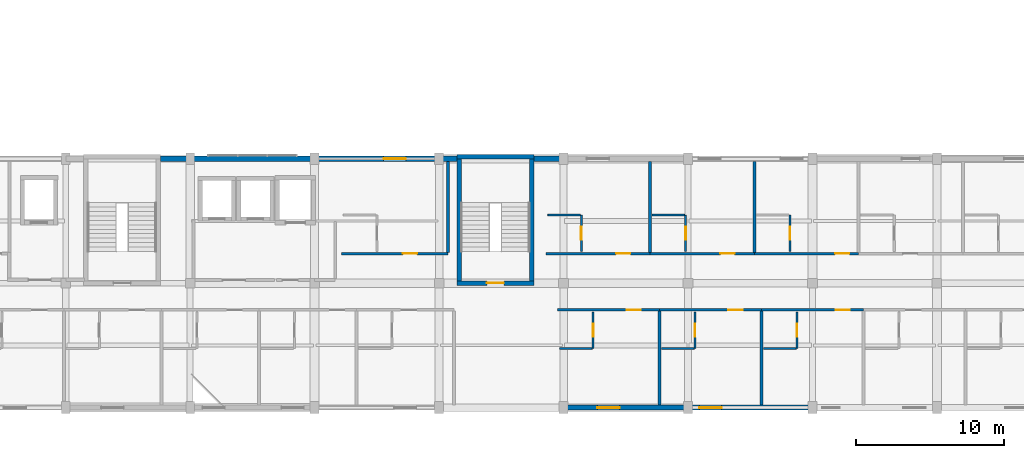
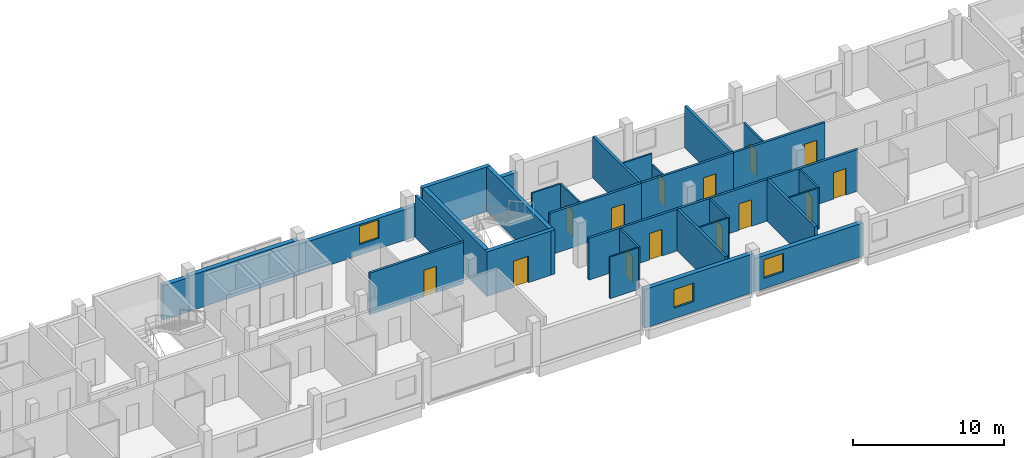
# One storey, part 19 of 26: 33 walls, 14 doors, 3 windows, 17 openings.
"""IFC4 building model written with IfcOpenShell, lengths in metres."""

from ifc_helpers import new_model, si_unit, derived_unit, direction, frame, frame_2d, origin, place, context, subcontext, project, spatial, rectangle, extrude, material, layer, layer_set, type_object, element, fill, save


model = new_model("IFC4")

# Units and contexts
model_context = context("Model", 3, precision=1e-05, world=origin(), true_north=direction((0.0, 1.0)))
body_context = subcontext(model_context, "Body", "Model", "MODEL_VIEW")
ifc_project = project(units=[si_unit("LENGTHUNIT", "METRE"), si_unit("AREAUNIT", "SQUARE_METRE"), si_unit("VOLUMEUNIT", "CUBIC_METRE"), si_unit("PLANEANGLEUNIT", "RADIAN"), si_unit("MASSUNIT", "GRAM", prefix="KILO"), derived_unit("THERMALTRANSMITTANCEUNIT", [(si_unit("POWERUNIT", "WATT"), 1), (si_unit("LENGTHUNIT", "METRE"), -2), (si_unit("THERMODYNAMICTEMPERATUREUNIT", "KELVIN"), -1)])], contexts=[model_context])

# Site, building, storey
site_placement = place(None, origin())
site = spatial("IfcSite", under=ifc_project, at=site_placement, CompositionType="ELEMENT")
building_placement = place(site_placement, origin())
building = spatial("IfcBuilding", under=site, at=building_placement, Name="Barrovel Congress Hotel", CompositionType="ELEMENT")
storey_placement = place(building_placement, frame((0.0, 0.0, 21.89990234375)))
storey = spatial("IfcBuildingStorey", under=building, at=storey_placement, Name="L05", CompositionType="ELEMENT", Elevation=21.89990234375)

# Wall, opening, window
ifc_material_1 = material(Name="Fired Clay Brick Masonry", Category="masonry")
ifc_layer_1 = layer(ifc_material_1, 0.340087890625)
ifc_layer_set_1 = layer_set([ifc_layer_1], Name="Fired Clay Brick Masonry")
wall_type_1 = type_object("IfcWallType", Name="EW-BRK340", PredefinedType="STANDARD", material=ifc_layer_set_1)
wall_1_placement = place(storey_placement, frame((102.0, 21.0, 0.0), z_axis=(0.0, 0.0, 1.0), x_axis=(-1.0, 0.0, 0.0)))
wall_1 = element("IfcWall", 1, at=wall_1_placement, inside=storey, type_object=wall_type_1, Name="EW:L05:HS-NE-3", PredefinedType="STANDARD", context=body_context, shape_type="SweptSolid", body=[
    extrude(rectangle(XDim=9.60009765625, YDim=0.340087890625, at=frame_2d((4.800048828125, 0.0))), origin(), (0.0, 0.0, 1.0), 2.47998046875),
])
opening_1_placement = place(wall_1_placement, frame((3.449951171875, 0.0, 0.85009765625)))
opening_1 = element("IfcOpeningElement", 2, at=opening_1_placement, cuts=wall_1, Name="Opening WN-07", PredefinedType="OPENING", context=body_context, shape_type="SweptSolid", body=[
    extrude(rectangle(XDim=1.5, YDim=1.5, at=frame_2d((0.75, 0.75))), frame((0.0, 0.18017578125, 0.0), z_axis=(0.0, -1.0, 0.0), x_axis=(1.0, 0.0, 0.0)), (0.0, 0.0, 1.0), 0.360107421875),
])
ifc_material_2 = material(Name="Double Low-E Insulated Glazing", Category="glass")
window_type = type_object("IfcWindowType", Name="WIN-WN-07", PartitioningType="SINGLE_PANEL", PredefinedType="WINDOW", material=ifc_material_2)
window_1_placement = place(opening_1_placement, origin())
window_1 = element("IfcWindow", 3, at=window_1_placement, inside=storey, type_object=window_type, Name="WIN:L05:U24", OverallHeight=1.5, OverallWidth=1.5, PartitioningType="SINGLE_PANEL", PredefinedType="WINDOW", context=body_context, shape_type="SweptSolid", body=[
    extrude(rectangle(XDim=1.5, YDim=1.5, at=frame_2d((0.75, 0.75))), frame((0.0, 0.030029296875, 0.0), z_axis=(0.0, -1.0, 0.0), x_axis=(1.0, 0.0, 0.0)), (0.0, 0.0, 1.0), 0.06005859375),
])
fill(opening_1, window_1)

wall_2_placement = place(storey_placement, frame((109.199951171875, 4.199951171875, 0.0), z_axis=(0.0, 0.0, 1.0), x_axis=(1.0, 0.0, 0.0)))
wall_2 = element("IfcWall", 4, at=wall_2_placement, inside=storey, type_object=wall_type_1, Name="EW:L05:HS-S:P10", PredefinedType="STANDARD", context=body_context, shape_type="SweptSolid", body=[
    extrude(rectangle(XDim=8.400146484375, YDim=0.340087890625, at=frame_2d((4.2001953125, 0.0))), origin(), (0.0, 0.0, 1.0), 3.133056640625),
])
opening_2_placement = place(wall_2_placement, frame((2.2900390625, 0.0, 0.85009765625)))
opening_2 = element("IfcOpeningElement", 5, at=opening_2_placement, cuts=wall_2, Name="Opening WN-07", PredefinedType="OPENING", context=body_context, shape_type="SweptSolid", body=[
    extrude(rectangle(XDim=1.5, YDim=1.5, at=frame_2d((0.75, 0.75))), frame((0.0, 0.18017578125, 0.0), z_axis=(0.0, -1.0, 0.0), x_axis=(1.0, 0.0, 0.0)), (0.0, 0.0, 1.0), 0.360107421875),
])
window_2_placement = place(opening_2_placement, origin())
window_2 = element("IfcWindow", 6, at=window_2_placement, inside=storey, type_object=window_type, Name="WIN:L05:U14", OverallHeight=1.5, OverallWidth=1.5, PartitioningType="SINGLE_PANEL", PredefinedType="WINDOW", context=body_context, shape_type="SweptSolid", body=[
    extrude(rectangle(XDim=1.5, YDim=1.5, at=frame_2d((0.75, 0.75))), frame((0.0, 0.030029296875, 0.0), z_axis=(0.0, -1.0, 0.0), x_axis=(1.0, 0.0, 0.0)), (0.0, 0.0, 1.0), 0.06005859375),
])
fill(opening_2, window_2)

wall_3_placement = place(storey_placement, frame((117.60009765625, 4.199951171875, 0.0), z_axis=(0.0, 0.0, 1.0), x_axis=(1.0, 0.0, 0.0)))
wall_3 = element("IfcWall", 7, at=wall_3_placement, inside=storey, type_object=wall_type_1, Name="EW:L05:HS-S:P11", PredefinedType="STANDARD", context=body_context, shape_type="SweptSolid", body=[
    extrude(rectangle(XDim=8.39990234375, YDim=0.340087890625, at=frame_2d((4.199951171875, 0.0))), origin(), (0.0, 0.0, 1.0), 2.68017578125),
])
opening_3_placement = place(wall_3_placement, frame((0.77001953125, 0.0, 0.85009765625)))
opening_3 = element("IfcOpeningElement", 8, at=opening_3_placement, cuts=wall_3, Name="Opening WN-07", PredefinedType="OPENING", context=body_context, shape_type="SweptSolid", body=[
    extrude(rectangle(XDim=1.5, YDim=1.5, at=frame_2d((0.75, 0.75))), frame((0.0, 0.18017578125, 0.0), z_axis=(0.0, -1.0, 0.0), x_axis=(1.0, 0.0, 0.0)), (0.0, 0.0, 1.0), 0.360107421875),
])
window_3_placement = place(opening_3_placement, origin())
window_3 = element("IfcWindow", 9, at=window_3_placement, inside=storey, type_object=window_type, Name="WIN:L05:U15", OverallHeight=1.5, OverallWidth=1.5, PartitioningType="SINGLE_PANEL", PredefinedType="WINDOW", context=body_context, shape_type="SweptSolid", body=[
    extrude(rectangle(XDim=1.5, YDim=1.5, at=frame_2d((0.75, 0.75))), frame((0.0, 0.030029296875, 0.0), z_axis=(0.0, -1.0, 0.0), x_axis=(1.0, 0.0, 0.0)), (0.0, 0.0, 1.0), 0.06005859375),
])
fill(opening_3, window_3)

# Walls
wall_4_placement = place(storey_placement, frame((109.199951171875, 21.0, 0.0), z_axis=(0.0, 0.0, 1.0), x_axis=(-1.0, 0.0, 0.0)))
element("IfcWall", 10, at=wall_4_placement, inside=storey, type_object=wall_type_1, Name="EW:L05:HS-NE-2:P06", PredefinedType="STANDARD", context=body_context, shape_type="SweptSolid", body=[
    extrude(rectangle(XDim=2.0, YDim=0.340087890625, at=frame_2d((1.0, 0.0))), origin(), (0.0, 0.0, 1.0), 2.47998046875),
])
wall_5_placement = place(storey_placement, frame((92.39990234375, 21.0, 0.0), z_axis=(0.0, 0.0, 1.0), x_axis=(-1.0, 0.0, 0.0)))
element("IfcWall", 11, at=wall_5_placement, inside=storey, type_object=wall_type_1, Name="EW:L05:HS-NE-3:P02", PredefinedType="STANDARD", context=body_context, shape_type="SweptSolid", body=[
    extrude(rectangle(XDim=8.39990234375, YDim=0.340087890625, at=frame_2d((4.199951171875, 0.0))), origin(), (0.0, 0.0, 1.0), 2.880126953125),
])
wall_6_placement = place(storey_placement, frame((84.0, 21.0, 0.0), z_axis=(0.0, 0.0, 1.0), x_axis=(-1.0, 0.0, 0.0)))
element("IfcWall", 12, at=wall_6_placement, inside=storey, type_object=wall_type_1, Name="EW:L05:HS-NE-3:P03", PredefinedType="STANDARD", context=body_context, shape_type="SweptSolid", body=[
    extrude(rectangle(XDim=2.0, YDim=0.340087890625, at=frame_2d((1.0, 0.0))), origin(), (0.0, 0.0, 1.0), 2.780029296875),
])

# Wall, opening, door
ifc_material_3 = material(Name="Gypsum Acoustic Stud", Category="gypsum")
ifc_layer_2 = layer(ifc_material_3, 0.179931640625)
ifc_layer_set_2 = layer_set([ifc_layer_2], Name="Gypsum Acoustic Stud")
wall_type_2 = type_object("IfcWallType", Name="PW-ACU-180", PredefinedType="PARTITIONING", material=ifc_layer_set_2)
wall_7_placement = place(storey_placement, frame((108.800048828125, 10.800048828125, 0.0), z_axis=(0.0, 0.0, 1.0), x_axis=(1.0, 0.0, 0.0)))
wall_7 = element("IfcWall", 13, at=wall_7_placement, inside=storey, type_object=wall_type_2, Name="PW:L05:U14:COR", PredefinedType="PARTITIONING", context=body_context, shape_type="SweptSolid", body=[
    extrude(rectangle(XDim=6.8798828125, YDim=0.179931640625, at=frame_2d((3.43994140625, 0.0))), origin(), (0.0, 0.0, 1.0), 3.375),
])
opening_4_placement = place(wall_7_placement, frame((4.652587890625, 0.0, 0.0)))
opening_4 = element("IfcOpeningElement", 14, at=opening_4_placement, cuts=wall_7, Name="Opening ID-HTL", PredefinedType="OPENING", context=body_context, shape_type="SweptSolid", body=[
    extrude(rectangle(XDim=0.9599609375, YDim=2.14990234375, at=frame_2d((0.47998046875, 1.074951171875))), frame((0.0, 0.10009765625, 0.0), z_axis=(0.0, -1.0, 0.0), x_axis=(1.0, 0.0, 0.0)), (0.0, 0.0, 1.0), 0.199951171875),
])
ifc_material_4 = material(Name="Solid Oak Acoustic Timber Door", Category="wood")
door_type_1 = type_object("IfcDoorType", Name="IDR-ID-HTL", OperationType="NOTDEFINED", PredefinedType="DOOR", material=ifc_material_4)
door_1_placement = place(opening_4_placement, origin())
door_1 = element("IfcDoor", 15, at=door_1_placement, inside=storey, type_object=door_type_1, Name="DR:L05:U14:ENT", OperationType="SINGLE_SWING_RIGHT", OverallHeight=2.14990234375, OverallWidth=0.9599609375, PredefinedType="DOOR", context=body_context, shape_type="SweptSolid", body=[
    extrude(rectangle(XDim=0.9599609375, YDim=2.14990234375, at=frame_2d((0.47998046875, 1.074951171875))), frame((0.0, 0.02490234375, 0.0), z_axis=(0.0, -1.0, 0.0), x_axis=(1.0, 0.0, 0.0)), (0.0, 0.0, 1.0), 0.050048828125),
])
fill(opening_4, door_1)

wall_8_placement = place(storey_placement, frame((115.679931640625, 10.800048828125, 0.0), z_axis=(0.0, 0.0, 1.0), x_axis=(1.0, 0.0, 0.0)))
wall_8 = element("IfcWall", 16, at=wall_8_placement, inside=storey, type_object=wall_type_2, Name="PW:L05:U15:COR", PredefinedType="PARTITIONING", context=body_context, shape_type="SweptSolid", body=[
    extrude(rectangle(XDim=6.880126953125, YDim=0.179931640625, at=frame_2d((3.43994140625, 0.0))), origin(), (0.0, 0.0, 1.0), 3.375),
])
opening_5_placement = place(wall_8_placement, frame((4.652587890625, 0.0, 0.0)))
opening_5 = element("IfcOpeningElement", 17, at=opening_5_placement, cuts=wall_8, Name="Opening ID-HTL", PredefinedType="OPENING", context=body_context, shape_type="SweptSolid", body=[
    extrude(rectangle(XDim=0.9599609375, YDim=2.14990234375, at=frame_2d((0.47998046875, 1.074951171875))), frame((0.0, 0.10009765625, 0.0), z_axis=(0.0, -1.0, 0.0), x_axis=(1.0, 0.0, 0.0)), (0.0, 0.0, 1.0), 0.199951171875),
])
door_2_placement = place(opening_5_placement, origin())
door_2 = element("IfcDoor", 18, at=door_2_placement, inside=storey, type_object=door_type_1, Name="DR:L05:U15:ENT", OperationType="SINGLE_SWING_RIGHT", OverallHeight=2.14990234375, OverallWidth=0.9599609375, PredefinedType="DOOR", context=body_context, shape_type="SweptSolid", body=[
    extrude(rectangle(XDim=0.9599609375, YDim=2.14990234375, at=frame_2d((0.47998046875, 1.074951171875))), frame((0.0, 0.02490234375, 0.0), z_axis=(0.0, -1.0, 0.0), x_axis=(1.0, 0.0, 0.0)), (0.0, 0.0, 1.0), 0.050048828125),
])
fill(opening_5, door_2)

wall_9_placement = place(storey_placement, frame((122.56005859375, 10.800048828125, 0.0), z_axis=(0.0, 0.0, 1.0), x_axis=(1.0, 0.0, 0.0)))
wall_9 = element("IfcWall", 19, at=wall_9_placement, inside=storey, type_object=wall_type_2, Name="PW:L05:U16:COR", PredefinedType="PARTITIONING", context=body_context, shape_type="SweptSolid", body=[
    extrude(rectangle(XDim=6.8798828125, YDim=0.179931640625, at=frame_2d((3.43994140625, 0.0))), origin(), (0.0, 0.0, 1.0), 3.375),
])
opening_6_placement = place(wall_9_placement, frame((5.002685546875, 0.0, 0.0)))
opening_6 = element("IfcOpeningElement", 20, at=opening_6_placement, cuts=wall_9, Name="Opening ID-HTL", PredefinedType="OPENING", context=body_context, shape_type="SweptSolid", body=[
    extrude(rectangle(XDim=0.9599609375, YDim=2.14990234375, at=frame_2d((0.47998046875, 1.074951171875))), frame((0.0, 0.10009765625, 0.0), z_axis=(0.0, -1.0, 0.0), x_axis=(1.0, 0.0, 0.0)), (0.0, 0.0, 1.0), 0.199951171875),
])
door_3_placement = place(opening_6_placement, origin())
door_3 = element("IfcDoor", 21, at=door_3_placement, inside=storey, type_object=door_type_1, Name="DR:L05:U16:ENT", OperationType="SINGLE_SWING_RIGHT", OverallHeight=2.14990234375, OverallWidth=0.9599609375, PredefinedType="DOOR", context=body_context, shape_type="SweptSolid", body=[
    extrude(rectangle(XDim=0.9599609375, YDim=2.14990234375, at=frame_2d((0.47998046875, 1.074951171875))), frame((0.0, 0.02490234375, 0.0), z_axis=(0.0, -1.0, 0.0), x_axis=(1.0, 0.0, 0.0)), (0.0, 0.0, 1.0), 0.050048828125),
])
fill(opening_6, door_3)

wall_10_placement = place(storey_placement, frame((94.199951171875, 14.60009765625, 0.0), z_axis=(0.0, 0.0, 1.0), x_axis=(1.0, 0.0, 0.0)))
wall_10 = element("IfcWall", 22, at=wall_10_placement, inside=storey, type_object=wall_type_2, Name="PW:L05:U24:COR", PredefinedType="PARTITIONING", context=body_context, shape_type="SweptSolid", body=[
    extrude(rectangle(XDim=7.199951171875, YDim=0.179931640625, at=frame_2d((3.60009765625, 0.0))), origin(), (0.0, 0.0, 1.0), 3.375),
])
opening_7_placement = place(wall_10_placement, frame((4.15087890625, 0.0, 0.0)))
opening_7 = element("IfcOpeningElement", 23, at=opening_7_placement, cuts=wall_10, Name="Opening ID-HTL", PredefinedType="OPENING", context=body_context, shape_type="SweptSolid", body=[
    extrude(rectangle(XDim=0.9599609375, YDim=2.14990234375, at=frame_2d((0.47998046875, 1.074951171875))), frame((0.0, 0.10009765625, 0.0), z_axis=(0.0, -1.0, 0.0), x_axis=(1.0, 0.0, 0.0)), (0.0, 0.0, 1.0), 0.199951171875),
])
door_4_placement = place(opening_7_placement, origin())
door_4 = element("IfcDoor", 24, at=door_4_placement, inside=storey, type_object=door_type_1, Name="DR:L05:U24:ENT", OperationType="SINGLE_SWING_RIGHT", OverallHeight=2.14990234375, OverallWidth=0.9599609375, PredefinedType="DOOR", context=body_context, shape_type="SweptSolid", body=[
    extrude(rectangle(XDim=0.9599609375, YDim=2.14990234375, at=frame_2d((0.47998046875, 1.074951171875))), frame((0.0, 0.02490234375, 0.0), z_axis=(0.0, -1.0, 0.0), x_axis=(1.0, 0.0, 0.0)), (0.0, 0.0, 1.0), 0.050048828125),
])
fill(opening_7, door_4)

wall_11_placement = place(storey_placement, frame((108.0, 14.60009765625, 0.0), z_axis=(0.0, 0.0, 1.0), x_axis=(1.0, 0.0, 0.0)))
wall_11 = element("IfcWall", 25, at=wall_11_placement, inside=storey, type_object=wall_type_2, Name="PW:L05:U25:COR", PredefinedType="PARTITIONING", context=body_context, shape_type="SweptSolid", body=[
    extrude(rectangle(XDim=7.0400390625, YDim=0.179931640625, at=frame_2d((3.52001953125, 0.0))), origin(), (0.0, 0.0, 1.0), 3.375),
])
opening_8_placement = place(wall_11_placement, frame((4.751708984375, 0.0, 0.0)))
opening_8 = element("IfcOpeningElement", 26, at=opening_8_placement, cuts=wall_11, Name="Opening ID-HTL", PredefinedType="OPENING", context=body_context, shape_type="SweptSolid", body=[
    extrude(rectangle(XDim=0.9599609375, YDim=2.14990234375, at=frame_2d((0.47998046875, 1.074951171875))), frame((0.0, 0.10009765625, 0.0), z_axis=(0.0, -1.0, 0.0), x_axis=(1.0, 0.0, 0.0)), (0.0, 0.0, 1.0), 0.199951171875),
])
door_5_placement = place(opening_8_placement, origin())
door_5 = element("IfcDoor", 27, at=door_5_placement, inside=storey, type_object=door_type_1, Name="DR:L05:U25:ENT", OperationType="SINGLE_SWING_RIGHT", OverallHeight=2.14990234375, OverallWidth=0.9599609375, PredefinedType="DOOR", context=body_context, shape_type="SweptSolid", body=[
    extrude(rectangle(XDim=0.9599609375, YDim=2.14990234375, at=frame_2d((0.47998046875, 1.074951171875))), frame((0.0, 0.02490234375, 0.0), z_axis=(0.0, -1.0, 0.0), x_axis=(1.0, 0.0, 0.0)), (0.0, 0.0, 1.0), 0.050048828125),
])
fill(opening_8, door_5)

wall_12_placement = place(storey_placement, frame((115.0400390625, 14.60009765625, 0.0), z_axis=(0.0, 0.0, 1.0), x_axis=(1.0, 0.0, 0.0)))
wall_12 = element("IfcWall", 28, at=wall_12_placement, inside=storey, type_object=wall_type_2, Name="PW:L05:U26:COR", PredefinedType="PARTITIONING", context=body_context, shape_type="SweptSolid", body=[
    extrude(rectangle(XDim=7.0400390625, YDim=0.179931640625, at=frame_2d((3.52001953125, 0.0))), origin(), (0.0, 0.0, 1.0), 3.375),
])
opening_9_placement = place(wall_12_placement, frame((4.751708984375, 0.0, 0.0)))
opening_9 = element("IfcOpeningElement", 29, at=opening_9_placement, cuts=wall_12, Name="Opening ID-HTL", PredefinedType="OPENING", context=body_context, shape_type="SweptSolid", body=[
    extrude(rectangle(XDim=0.9599609375, YDim=2.14990234375, at=frame_2d((0.47998046875, 1.074951171875))), frame((0.0, 0.10009765625, 0.0), z_axis=(0.0, -1.0, 0.0), x_axis=(1.0, 0.0, 0.0)), (0.0, 0.0, 1.0), 0.199951171875),
])
door_6_placement = place(opening_9_placement, origin())
door_6 = element("IfcDoor", 30, at=door_6_placement, inside=storey, type_object=door_type_1, Name="DR:L05:U26:ENT", OperationType="SINGLE_SWING_RIGHT", OverallHeight=2.14990234375, OverallWidth=0.9599609375, PredefinedType="DOOR", context=body_context, shape_type="SweptSolid", body=[
    extrude(rectangle(XDim=0.9599609375, YDim=2.14990234375, at=frame_2d((0.47998046875, 1.074951171875))), frame((0.0, 0.02490234375, 0.0), z_axis=(0.0, -1.0, 0.0), x_axis=(1.0, 0.0, 0.0)), (0.0, 0.0, 1.0), 0.050048828125),
])
fill(opening_9, door_6)

wall_13_placement = place(storey_placement, frame((122.080078125, 14.60009765625, 0.0), z_axis=(0.0, 0.0, 1.0), x_axis=(1.0, 0.0, 0.0)))
wall_13 = element("IfcWall", 31, at=wall_13_placement, inside=storey, type_object=wall_type_2, Name="PW:L05:U27:COR", PredefinedType="PARTITIONING", context=body_context, shape_type="SweptSolid", body=[
    extrude(rectangle(XDim=7.0400390625, YDim=0.179931640625, at=frame_2d((3.52001953125, 0.0))), origin(), (0.0, 0.0, 1.0), 3.375),
])
opening_10_placement = place(wall_13_placement, frame((5.451904296875, 0.0, 0.0)))
opening_10 = element("IfcOpeningElement", 32, at=opening_10_placement, cuts=wall_13, Name="Opening ID-HTL", PredefinedType="OPENING", context=body_context, shape_type="SweptSolid", body=[
    extrude(rectangle(XDim=0.9599609375, YDim=2.14990234375, at=frame_2d((0.47998046875, 1.074951171875))), frame((0.0, 0.10009765625, 0.0), z_axis=(0.0, -1.0, 0.0), x_axis=(1.0, 0.0, 0.0)), (0.0, 0.0, 1.0), 0.199951171875),
])
door_7_placement = place(opening_10_placement, origin())
door_7 = element("IfcDoor", 33, at=door_7_placement, inside=storey, type_object=door_type_1, Name="DR:L05:U27:ENT", OperationType="SINGLE_SWING_RIGHT", OverallHeight=2.14990234375, OverallWidth=0.9599609375, PredefinedType="DOOR", context=body_context, shape_type="SweptSolid", body=[
    extrude(rectangle(XDim=0.9599609375, YDim=2.14990234375, at=frame_2d((0.47998046875, 1.074951171875))), frame((0.0, 0.02490234375, 0.0), z_axis=(0.0, -1.0, 0.0), x_axis=(1.0, 0.0, 0.0)), (0.0, 0.0, 1.0), 0.050048828125),
])
fill(opening_10, door_7)

# Walls
ifc_layer_3 = layer(ifc_material_3, 0.1201171875)
ifc_layer_set_3 = layer_set([ifc_layer_3], Name="Gypsum Acoustic Stud")
wall_type_3 = type_object("IfcWallType", Name="PW-INT-120", PredefinedType="PARTITIONING", material=ifc_layer_set_3)
for number, where, z_axis, x_axis, name in (
    (34, (108.93994140625, 8.199951171875, 0.0), (0.0, 0.0, 1.0), (1.0, 0.0, 0.0), "PW:L05:U14:B2"),
    (35, (115.820068359375, 8.199951171875, 0.0), (0.0, 0.0, 1.0), (1.0, 0.0, 0.0), "PW:L05:U15:B2"),
    (36, (122.699951171875, 8.199951171875, 0.0), (0.0, 0.0, 1.0), (1.0, 0.0, 0.0), "PW:L05:U16:B2"),
):
    element("IfcWall", number, at=place(storey_placement, frame(where, z_axis=z_axis, x_axis=x_axis)), inside=storey, type_object=wall_type_3, Name=name, PredefinedType="PARTITIONING", context=body_context, shape_type="SweptSolid", body=[
        extrude(rectangle(XDim=2.18994140625, YDim=0.1201171875, at=frame_2d((1.094970703125, 0.0))), origin(), (0.0, 0.0, 1.0), 3.375),
    ])
for number, where, z_axis, x_axis, name in (
    (37, (108.139892578125, 17.199951171875, 0.0), (0.0, 0.0, 1.0), (1.0, 0.0, 0.0), "PW:L05:U25:B2"),
    (38, (115.179931640625, 17.199951171875, 0.0), (0.0, 0.0, 1.0), (1.0, 0.0, 0.0), "PW:L05:U26:B2"),
):
    element("IfcWall", number, at=place(storey_placement, frame(where, z_axis=z_axis, x_axis=x_axis)), inside=storey, type_object=wall_type_3, Name=name, PredefinedType="PARTITIONING", context=body_context, shape_type="SweptSolid", body=[
        extrude(rectangle(XDim=2.190185546875, YDim=0.1201171875, at=frame_2d((1.09521484375, 0.0))), origin(), (0.0, 0.0, 1.0), 3.375),
    ])
ifc_layer_4 = layer(ifc_material_1, 0.199951171875)
ifc_layer_set_4 = layer_set([ifc_layer_4], Name="Fired Clay Brick Masonry")
wall_type_4 = type_object("IfcWallType", Name="PW-MAS-200", PredefinedType="PARTITIONING", material=ifc_layer_set_4)
for number, where, z_axis, x_axis, name in (
    (39, (115.679931640625, 4.3701171875, 0.0), (0.0, 0.0, 1.0), (0.0, 1.0, 0.0), "PW:L05:U14:DEM"),
    (40, (122.56005859375, 4.3701171875, 0.0), (0.0, 0.0, 1.0), (0.0, 1.0, 0.0), "PW:L05:U15:DEM"),
):
    element("IfcWall", number, at=place(storey_placement, frame(where, z_axis=z_axis, x_axis=x_axis)), inside=storey, type_object=wall_type_4, Name=name, PredefinedType="PARTITIONING", context=body_context, shape_type="SweptSolid", body=[
        extrude(rectangle(XDim=6.33984375, YDim=0.199951171875, at=frame_2d((3.169921875, 0.0))), origin(), (0.0, 0.0, 1.0), 3.375),
    ])
for number, where, z_axis, x_axis, name in (
    (41, (101.39990234375, 14.68994140625, 0.0), (0.0, 0.0, 1.0), (0.0, 1.0, 0.0), "PW:L05:U24:DEM"),
    (42, (115.0400390625, 14.68994140625, 0.0), (0.0, 0.0, 1.0), (0.0, 1.0, 0.0), "PW:L05:U25:DEM"),
    (43, (122.080078125, 14.68994140625, 0.0), (0.0, 0.0, 1.0), (0.0, 1.0, 0.0), "PW:L05:U26:DEM"),
):
    element("IfcWall", number, at=place(storey_placement, frame(where, z_axis=z_axis, x_axis=x_axis)), inside=storey, type_object=wall_type_4, Name=name, PredefinedType="PARTITIONING", context=body_context, shape_type="SweptSolid", body=[
        extrude(rectangle(XDim=6.14013671875, YDim=0.199951171875, at=frame_2d((3.070068359375, 0.0))), origin(), (0.0, 0.0, 1.0), 3.375),
    ])

# Wall, opening, door
ifc_material_5 = material(Name="Gypsum Moisture Board", Category="gypsum")
ifc_layer_5 = layer(ifc_material_5, 0.139892578125)
ifc_layer_set_5 = layer_set([ifc_layer_5], Name="Gypsum Moisture Board")
wall_type_5 = type_object("IfcWallType", Name="PW-WET-140", PredefinedType="PARTITIONING", material=ifc_layer_set_5)
wall_14_placement = place(storey_placement, frame((111.199951171875, 8.199951171875, 0.0), z_axis=(0.0, 0.0, 1.0), x_axis=(0.0, 1.0, 0.0)))
wall_14 = element("IfcWall", 44, at=wall_14_placement, inside=storey, type_object=wall_type_5, Name="PW:L05:U14:B1", PredefinedType="PARTITIONING", context=body_context, shape_type="SweptSolid", body=[
    extrude(rectangle(XDim=2.4599609375, YDim=0.139892578125, at=frame_2d((1.22998046875, 0.0))), origin(), (0.0, 0.0, 1.0), 3.375),
])
opening_11_placement = place(wall_14_placement, frame((0.800048828125, 0.0, 0.0)))
opening_11 = element("IfcOpeningElement", 45, at=opening_11_placement, cuts=wall_14, Name="Opening ID-ENS", PredefinedType="OPENING", context=body_context, shape_type="SweptSolid", body=[
    extrude(rectangle(XDim=0.860107421875, YDim=2.10009765625, at=frame_2d((0.43017578125, 1.050048828125))), frame((0.0, 0.080078125, 0.0), z_axis=(0.0, -1.0, 0.0), x_axis=(1.0, 0.0, 0.0)), (0.0, 0.0, 1.0), 0.159912109375),
])
ifc_material_6 = material(Name="Lacquered Timber Moisture Door", Category="wood")
door_type_2 = type_object("IfcDoorType", Name="IDR-ID-ENS", OperationType="NOTDEFINED", PredefinedType="DOOR", material=ifc_material_6)
door_8_placement = place(opening_11_placement, origin())
door_8 = element("IfcDoor", 46, at=door_8_placement, inside=storey, type_object=door_type_2, Name="DR:L05:U14:ENS", OperationType="SINGLE_SWING_LEFT", OverallHeight=2.10009765625, OverallWidth=0.860107421875, PredefinedType="DOOR", context=body_context, shape_type="SweptSolid", body=[
    extrude(rectangle(XDim=0.860107421875, YDim=2.10009765625, at=frame_2d((0.43017578125, 1.050048828125))), frame((0.0, 0.02490234375, 0.0), z_axis=(0.0, -1.0, 0.0), x_axis=(1.0, 0.0, 0.0)), (0.0, 0.0, 1.0), 0.050048828125),
])
fill(opening_11, door_8)

wall_15_placement = place(storey_placement, frame((118.080078125, 8.199951171875, 0.0), z_axis=(0.0, 0.0, 1.0), x_axis=(0.0, 1.0, 0.0)))
wall_15 = element("IfcWall", 47, at=wall_15_placement, inside=storey, type_object=wall_type_5, Name="PW:L05:U15:B1", PredefinedType="PARTITIONING", context=body_context, shape_type="SweptSolid", body=[
    extrude(rectangle(XDim=2.4599609375, YDim=0.139892578125, at=frame_2d((1.22998046875, 0.0))), origin(), (0.0, 0.0, 1.0), 3.375),
])
opening_12_placement = place(wall_15_placement, frame((0.800048828125, 0.0, 0.0)))
opening_12 = element("IfcOpeningElement", 48, at=opening_12_placement, cuts=wall_15, Name="Opening ID-ENS", PredefinedType="OPENING", context=body_context, shape_type="SweptSolid", body=[
    extrude(rectangle(XDim=0.860107421875, YDim=2.10009765625, at=frame_2d((0.43017578125, 1.050048828125))), frame((0.0, 0.080078125, 0.0), z_axis=(0.0, -1.0, 0.0), x_axis=(1.0, 0.0, 0.0)), (0.0, 0.0, 1.0), 0.159912109375),
])
door_9_placement = place(opening_12_placement, origin())
door_9 = element("IfcDoor", 49, at=door_9_placement, inside=storey, type_object=door_type_2, Name="DR:L05:U15:ENS", OperationType="SINGLE_SWING_LEFT", OverallHeight=2.10009765625, OverallWidth=0.860107421875, PredefinedType="DOOR", context=body_context, shape_type="SweptSolid", body=[
    extrude(rectangle(XDim=0.860107421875, YDim=2.10009765625, at=frame_2d((0.43017578125, 1.050048828125))), frame((0.0, 0.02490234375, 0.0), z_axis=(0.0, -1.0, 0.0), x_axis=(1.0, 0.0, 0.0)), (0.0, 0.0, 1.0), 0.050048828125),
])
fill(opening_12, door_9)

wall_16_placement = place(storey_placement, frame((124.9599609375, 8.199951171875, 0.0), z_axis=(0.0, 0.0, 1.0), x_axis=(0.0, 1.0, 0.0)))
wall_16 = element("IfcWall", 50, at=wall_16_placement, inside=storey, type_object=wall_type_5, Name="PW:L05:U16:B1", PredefinedType="PARTITIONING", context=body_context, shape_type="SweptSolid", body=[
    extrude(rectangle(XDim=2.4599609375, YDim=0.139892578125, at=frame_2d((1.22998046875, 0.0))), origin(), (0.0, 0.0, 1.0), 3.375),
])
opening_13_placement = place(wall_16_placement, frame((0.800048828125, 0.0, 0.0)))
opening_13 = element("IfcOpeningElement", 51, at=opening_13_placement, cuts=wall_16, Name="Opening ID-ENS", PredefinedType="OPENING", context=body_context, shape_type="SweptSolid", body=[
    extrude(rectangle(XDim=0.860107421875, YDim=2.10009765625, at=frame_2d((0.43017578125, 1.050048828125))), frame((0.0, 0.080078125, 0.0), z_axis=(0.0, -1.0, 0.0), x_axis=(1.0, 0.0, 0.0)), (0.0, 0.0, 1.0), 0.159912109375),
])
door_10_placement = place(opening_13_placement, origin())
door_10 = element("IfcDoor", 52, at=door_10_placement, inside=storey, type_object=door_type_2, Name="DR:L05:U16:ENS", OperationType="SINGLE_SWING_LEFT", OverallHeight=2.10009765625, OverallWidth=0.860107421875, PredefinedType="DOOR", context=body_context, shape_type="SweptSolid", body=[
    extrude(rectangle(XDim=0.860107421875, YDim=2.10009765625, at=frame_2d((0.43017578125, 1.050048828125))), frame((0.0, 0.02490234375, 0.0), z_axis=(0.0, -1.0, 0.0), x_axis=(1.0, 0.0, 0.0)), (0.0, 0.0, 1.0), 0.050048828125),
])
fill(opening_13, door_10)

wall_17_placement = place(storey_placement, frame((110.39990234375, 14.739990234375, 0.0), z_axis=(0.0, 0.0, 1.0), x_axis=(0.0, 1.0, 0.0)))
wall_17 = element("IfcWall", 53, at=wall_17_placement, inside=storey, type_object=wall_type_5, Name="PW:L05:U25:B1", PredefinedType="PARTITIONING", context=body_context, shape_type="SweptSolid", body=[
    extrude(rectangle(XDim=2.4599609375, YDim=0.139892578125, at=frame_2d((1.22998046875, 0.0))), origin(), (0.0, 0.0, 1.0), 3.375),
])
opening_14_placement = place(wall_17_placement, frame((0.800048828125, 0.0, 0.0)))
opening_14 = element("IfcOpeningElement", 54, at=opening_14_placement, cuts=wall_17, Name="Opening ID-ENS", PredefinedType="OPENING", context=body_context, shape_type="SweptSolid", body=[
    extrude(rectangle(XDim=0.860107421875, YDim=2.10009765625, at=frame_2d((0.43017578125, 1.050048828125))), frame((0.0, 0.080078125, 0.0), z_axis=(0.0, -1.0, 0.0), x_axis=(1.0, 0.0, 0.0)), (0.0, 0.0, 1.0), 0.159912109375),
])
door_11_placement = place(opening_14_placement, origin())
door_11 = element("IfcDoor", 55, at=door_11_placement, inside=storey, type_object=door_type_2, Name="DR:L05:U25:ENS", OperationType="SINGLE_SWING_LEFT", OverallHeight=2.10009765625, OverallWidth=0.860107421875, PredefinedType="DOOR", context=body_context, shape_type="SweptSolid", body=[
    extrude(rectangle(XDim=0.860107421875, YDim=2.10009765625, at=frame_2d((0.43017578125, 1.050048828125))), frame((0.0, 0.02490234375, 0.0), z_axis=(0.0, -1.0, 0.0), x_axis=(1.0, 0.0, 0.0)), (0.0, 0.0, 1.0), 0.050048828125),
])
fill(opening_14, door_11)

wall_18_placement = place(storey_placement, frame((117.43994140625, 14.739990234375, 0.0), z_axis=(0.0, 0.0, 1.0), x_axis=(0.0, 1.0, 0.0)))
wall_18 = element("IfcWall", 56, at=wall_18_placement, inside=storey, type_object=wall_type_5, Name="PW:L05:U26:B1", PredefinedType="PARTITIONING", context=body_context, shape_type="SweptSolid", body=[
    extrude(rectangle(XDim=2.4599609375, YDim=0.139892578125, at=frame_2d((1.22998046875, 0.0))), origin(), (0.0, 0.0, 1.0), 2.43017578125),
])
opening_15_placement = place(wall_18_placement, frame((0.800048828125, 0.0, 0.0)))
opening_15 = element("IfcOpeningElement", 57, at=opening_15_placement, cuts=wall_18, Name="Opening ID-ENS", PredefinedType="OPENING", context=body_context, shape_type="SweptSolid", body=[
    extrude(rectangle(XDim=0.860107421875, YDim=2.10009765625, at=frame_2d((0.43017578125, 1.050048828125))), frame((0.0, 0.080078125, 0.0), z_axis=(0.0, -1.0, 0.0), x_axis=(1.0, 0.0, 0.0)), (0.0, 0.0, 1.0), 0.159912109375),
])
door_12_placement = place(opening_15_placement, origin())
door_12 = element("IfcDoor", 58, at=door_12_placement, inside=storey, type_object=door_type_2, Name="DR:L05:U26:ENS", OperationType="SINGLE_SWING_LEFT", OverallHeight=2.10009765625, OverallWidth=0.860107421875, PredefinedType="DOOR", context=body_context, shape_type="SweptSolid", body=[
    extrude(rectangle(XDim=0.860107421875, YDim=2.10009765625, at=frame_2d((0.43017578125, 1.050048828125))), frame((0.0, 0.02490234375, 0.0), z_axis=(0.0, -1.0, 0.0), x_axis=(1.0, 0.0, 0.0)), (0.0, 0.0, 1.0), 0.050048828125),
])
fill(opening_15, door_12)

wall_19_placement = place(storey_placement, frame((124.47998046875, 14.739990234375, 0.0), z_axis=(0.0, 0.0, 1.0), x_axis=(0.0, 1.0, 0.0)))
wall_19 = element("IfcWall", 59, at=wall_19_placement, inside=storey, type_object=wall_type_5, Name="PW:L05:U27:B1", PredefinedType="PARTITIONING", context=body_context, shape_type="SweptSolid", body=[
    extrude(rectangle(XDim=2.4599609375, YDim=0.139892578125, at=frame_2d((1.22998046875, 0.0))), origin(), (0.0, 0.0, 1.0), 3.375),
])
opening_16_placement = place(wall_19_placement, frame((0.800048828125, 0.0, 0.0)))
opening_16 = element("IfcOpeningElement", 60, at=opening_16_placement, cuts=wall_19, Name="Opening ID-ENS", PredefinedType="OPENING", context=body_context, shape_type="SweptSolid", body=[
    extrude(rectangle(XDim=0.860107421875, YDim=2.10009765625, at=frame_2d((0.43017578125, 1.050048828125))), frame((0.0, 0.080078125, 0.0), z_axis=(0.0, -1.0, 0.0), x_axis=(1.0, 0.0, 0.0)), (0.0, 0.0, 1.0), 0.159912109375),
])
door_13_placement = place(opening_16_placement, origin())
door_13 = element("IfcDoor", 61, at=door_13_placement, inside=storey, type_object=door_type_2, Name="DR:L05:U27:ENS", OperationType="SINGLE_SWING_LEFT", OverallHeight=2.10009765625, OverallWidth=0.860107421875, PredefinedType="DOOR", context=body_context, shape_type="SweptSolid", body=[
    extrude(rectangle(XDim=0.860107421875, YDim=2.10009765625, at=frame_2d((0.43017578125, 1.050048828125))), frame((0.0, 0.02490234375, 0.0), z_axis=(0.0, -1.0, 0.0), x_axis=(1.0, 0.0, 0.0)), (0.0, 0.0, 1.0), 0.050048828125),
])
fill(opening_16, door_13)

ifc_material_7 = material(Name="Concrete C40", Category="concrete")
ifc_layer_6 = layer(ifc_material_7, 0.300048828125)
ifc_layer_set_6 = layer_set([ifc_layer_6], Name="Concrete C40")
wall_type_6 = type_object("IfcWallType", Name="SW-C40-300", PredefinedType="SHEAR", material=ifc_layer_set_6)
wall_20_placement = place(storey_placement, frame((102.0, 12.610107421875, 0.0), z_axis=(0.0, 0.0, 1.0), x_axis=(1.0, 0.0, 0.0)))
wall_20 = element("IfcWall", 62, at=wall_20_placement, inside=storey, type_object=wall_type_6, Name="SHW:XS-03:L05:S", PredefinedType="SHEAR", context=body_context, shape_type="SweptSolid", body=[
    extrude(rectangle(XDim=5.199951171875, YDim=0.300048828125, at=frame_2d((2.60009765625, 0.0))), origin(), (0.0, 0.0, 1.0), 3.60009765625),
])
opening_17_placement = place(wall_20_placement, frame((2.02490234375, 0.0, 0.0)))
opening_17 = element("IfcOpeningElement", 63, at=opening_17_placement, cuts=wall_20, Name="Opening ID-ST1", PredefinedType="OPENING", context=body_context, shape_type="SweptSolid", body=[
    extrude(rectangle(XDim=1.14990234375, YDim=2.14990234375, at=frame_2d((0.574951171875, 1.074951171875))), frame((0.0, 0.16015625, 0.0), z_axis=(0.0, -1.0, 0.0), x_axis=(1.0, 0.0, 0.0)), (0.0, 0.0, 1.0), 0.320068359375),
])
ifc_material_8 = material(Name="Painted Hollow-Metal Steel Door", Category="steel")
door_type_3 = type_object("IfcDoorType", Name="IDR-ID-ST1", OperationType="NOTDEFINED", PredefinedType="DOOR", material=ifc_material_8)
door_14_placement = place(opening_17_placement, origin())
door_14 = element("IfcDoor", 64, at=door_14_placement, inside=storey, type_object=door_type_3, Name="Stair Core Fire Door XS-03-L05", OperationType="SINGLE_SWING_LEFT", OverallHeight=2.14990234375, OverallWidth=1.14990234375, PredefinedType="DOOR", context=body_context, shape_type="SweptSolid", body=[
    extrude(rectangle(XDim=1.14990234375, YDim=2.14990234375, at=frame_2d((0.574951171875, 1.074951171875))), frame((0.0, 0.02490234375, 0.0), z_axis=(0.0, -1.0, 0.0), x_axis=(1.0, 0.0, 0.0)), (0.0, 0.0, 1.0), 0.050048828125),
])
fill(opening_17, door_14)

# Walls
wall_21_placement = place(storey_placement, frame((107.050048828125, 12.4599609375, 0.0), z_axis=(0.0, 0.0, 1.0), x_axis=(0.0, 1.0, 0.0)))
element("IfcWall", 65, at=wall_21_placement, inside=storey, type_object=wall_type_6, Name="SHW:XS-03:L05:E", PredefinedType="SHEAR", context=body_context, shape_type="SweptSolid", body=[
    extrude(rectangle(XDim=8.840087890625, YDim=0.300048828125, at=frame_2d((4.419921875, 0.0))), origin(), (0.0, 0.0, 1.0), 3.60009765625),
])
wall_22_placement = place(storey_placement, frame((107.199951171875, 21.14990234375, 0.0), z_axis=(0.0, 0.0, 1.0), x_axis=(-1.0, 0.0, 0.0)))
element("IfcWall", 66, at=wall_22_placement, inside=storey, type_object=wall_type_6, Name="SHW:XS-03:L05:N", PredefinedType="SHEAR", context=body_context, shape_type="SweptSolid", body=[
    extrude(rectangle(XDim=5.199951171875, YDim=0.300048828125, at=frame_2d((2.60009765625, 0.0))), origin(), (0.0, 0.0, 1.0), 3.60009765625),
])
wall_23_placement = place(storey_placement, frame((102.14990234375, 21.300048828125, 0.0), z_axis=(0.0, 0.0, 1.0), x_axis=(0.0, -1.0, 0.0)))
element("IfcWall", 67, at=wall_23_placement, inside=storey, type_object=wall_type_6, Name="SHW:XS-03:L05:W", PredefinedType="SHEAR", context=body_context, shape_type="SweptSolid", body=[
    extrude(rectangle(XDim=8.840087890625, YDim=0.300048828125, at=frame_2d((4.419921875, 0.0))), origin(), (0.0, 0.0, 1.0), 3.60009765625),
])

save(model, "model.ifc")
